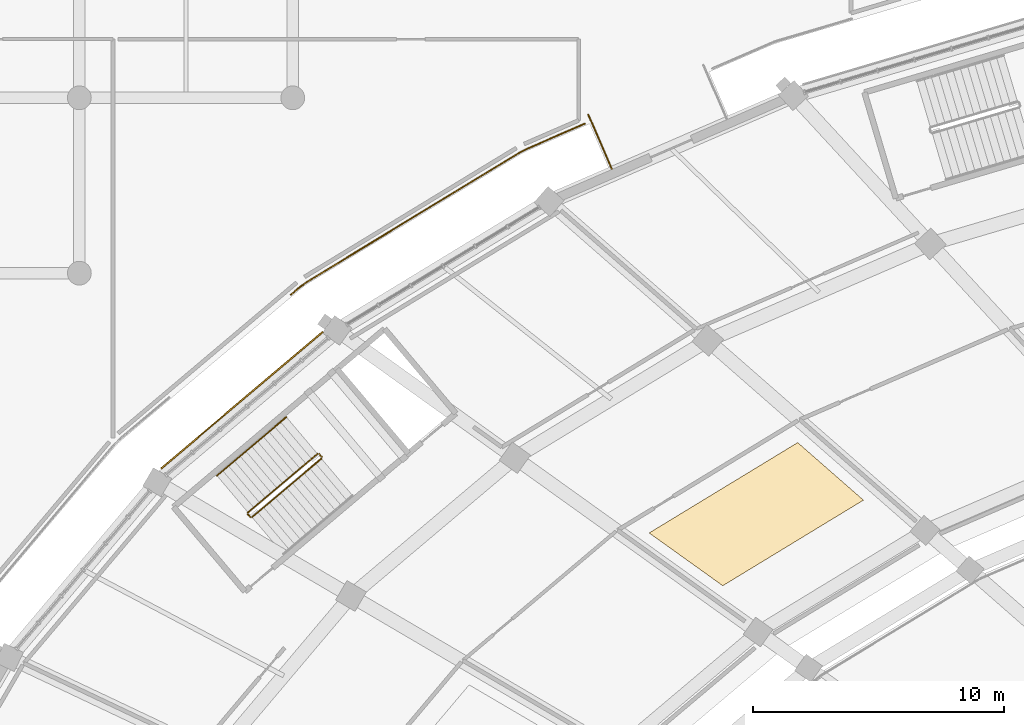
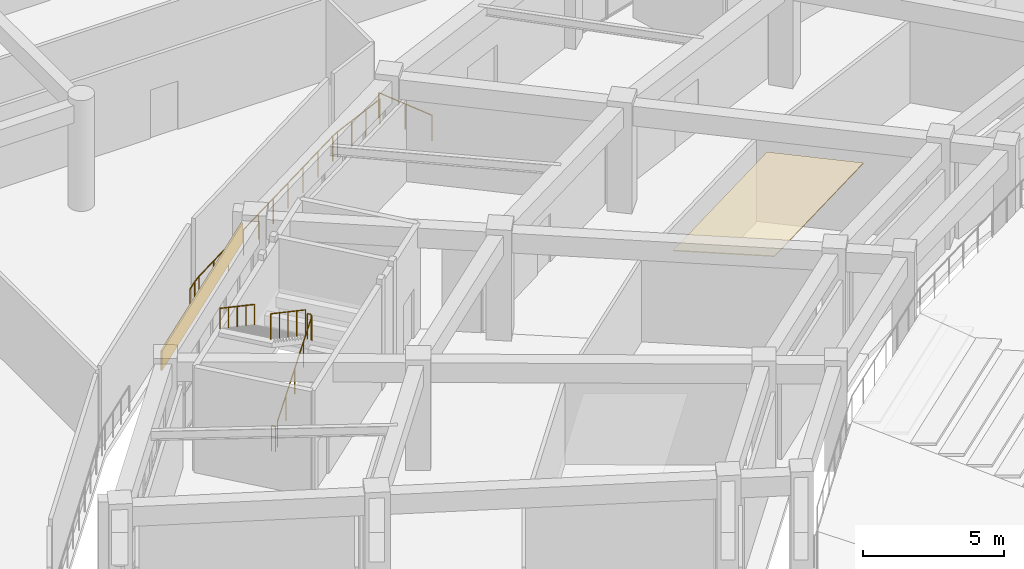
# One storey, part 144 of 152: 7 railings, 2 coverings.
"""IFC4 building model written with IfcOpenShell, lengths in metres."""

from ifc_helpers import new_model, si_unit, direction, frame, origin, origin_2d, place, context, subcontext, project, spatial, polyline, rectangle, circle, outline, extrude, material, layer, layer_set, type_object, element, save


model = new_model("IFC4")

# Units and contexts
model_context = context("Model", 3, precision=1e-05, world=origin(), true_north=direction((0.0, 1.0)))
body_context = subcontext(model_context, "Body", "Model", "MODEL_VIEW")
ifc_project = project(units=[si_unit("LENGTHUNIT", "METRE"), si_unit("AREAUNIT", "SQUARE_METRE"), si_unit("VOLUMEUNIT", "CUBIC_METRE"), si_unit("PLANEANGLEUNIT", "RADIAN"), si_unit("MASSUNIT", "GRAM", prefix="KILO")], contexts=[model_context])

# Site, building, storey
site_placement = place(None, origin())
site = spatial("IfcSite", under=ifc_project, at=site_placement, CompositionType="ELEMENT")
building_placement = place(site_placement, origin())
building = spatial("IfcBuilding", under=site, at=building_placement, Name="Mphavela Belvedere Stadium", CompositionType="ELEMENT")
storey_placement = place(building_placement, frame((0.0, 0.0, 5.39990234375)))
storey = spatial("IfcBuildingStorey", under=building, at=storey_placement, Name="L01", CompositionType="ELEMENT", Elevation=5.39990234375)

# Coverings
ifc_material_1 = material(Name="Perforated acoustic mineral ceiling tile")
ifc_layer_1 = layer(ifc_material_1, 0.0400390625)
ifc_layer_set_1 = layer_set([ifc_layer_1], Name="Perforated acoustic mineral ceiling tile")
covering_type_1 = type_object("IfcCoveringType", Name="COV-CEILING-ACOUSTIC", PredefinedType="CEILING", material=ifc_layer_set_1)
covering_1_placement = place(storey_placement, frame((0.0, 0.0, 3.5)))
element("IfcCovering", 1, at=covering_1_placement, inside=storey, type_object=covering_type_1, Name="Concourse acoustic ceiling L01-18", PredefinedType="CEILING", context=body_context, shape_type="SweptSolid", body=[
    extrude(outline(polyline([(56.8544921875, 136.93896484375), (51.23974609375, 133.523193359375), (48.300537109375, 135.629150390625), (54.229248046875, 139.236083984375), (56.8544921875, 136.93896484375)])), origin(), (0.0, 0.0, 1.0), 0.0400390625),
])
ifc_material_2 = material(Name="Carved classical limestone entablature frieze cladding", Category="masonry")
ifc_layer_2 = layer(ifc_material_2, 0.06005859375)
ifc_layer_set_2 = layer_set([ifc_layer_2], Name="Carved classical limestone entablature frieze cladding")
covering_type_2 = type_object("IfcCoveringType", Name="COV-FRIEZE-CLAD", PredefinedType="CLADDING", material=ifc_layer_set_2)
covering_2_placement = place(storey_placement, frame((32.046630859375, 140.9287109375, 3.594970703125), z_axis=(0.0, 0.0, 1.0), x_axis=(-0.764246456939, -0.644924300253, 0.0)))
element("IfcCovering", 2, at=covering_2_placement, inside=storey, type_object=covering_type_2, Name="Classical entablature frieze cladding L01-19", PredefinedType="CLADDING", context=body_context, shape_type="SweptSolid", body=[
    extrude(rectangle(XDim=8.4521484375, YDim=0.06005859375, at=origin_2d()), origin(), (0.0, 0.0, 1.0), 0.85009765625),
])

# Railings
ifc_material_3 = material(Name="Bronze and laminated glass stadium balustrade", Category="glass")
railing_type_1 = type_object("IfcRailingType", Name="RAL-BALUSTRADE-1120", PredefinedType="BALUSTRADE", material=ifc_material_3)
railing_1_placement = place(storey_placement, frame((46.809814453125, 150.165283203125, 0.0)))
element("IfcRailing", 3, at=railing_1_placement, inside=storey, type_object=railing_type_1, Name="Colonnade link bridge balustrade L01-17B", PredefinedType="BALUSTRADE", context=body_context, shape_type="SweptSolid", body=[
    extrude(circle(Radius=0.02392578125, at=origin_2d()), frame((0.0, 0.0, 1.09619140625), z_axis=(-0.397802772945, 0.91747095531, 0.0), x_axis=(-0.91747095531, -0.397802772945, 0.0)), (0.0, 0.0, 1.0), 2.349853515625),
    extrude(circle(Radius=0.02099609375, at=origin_2d()), origin(), (0.0, 0.0, 1.0), 1.072021484375),
    extrude(circle(Radius=0.02099609375, at=origin_2d()), frame((-0.46728515625, 1.078125, 0.0)), (0.0, 0.0, 1.0), 1.072021484375),
    extrude(circle(Radius=0.02099609375, at=origin_2d()), frame((-0.934814453125, 2.156005859375, 0.0)), (0.0, 0.0, 1.0), 1.072021484375),
])
railing_2_placement = place(storey_placement, frame((45.7255859375, 151.96240234375, 0.0)))
element("IfcRailing", 4, at=railing_2_placement, inside=storey, type_object=railing_type_1, Name="Peristyle wing gallery edge balustrade L01-34", PredefinedType="BALUSTRADE", context=body_context, shape_type="SweptSolid", body=[
    extrude(circle(Radius=0.02392578125, at=origin_2d()), frame((0.0, 0.0, 1.09619140625), z_axis=(-0.917490104343, -0.397758605731, 0.0), x_axis=(0.397758605731, -0.917490104343, 0.0)), (0.0, 0.0, 1.0), 2.5380859375),
    extrude(circle(Radius=0.02392578125, at=origin_2d()), frame((-2.32861328125, -1.009521484375, 1.09619140625), z_axis=(-0.887624752967, -0.460567365236, 0.0), x_axis=(0.460567365236, -0.887624752967, 0.0)), (0.0, 0.0, 1.0), 0.313232421875),
    extrude(circle(Radius=0.02392578125, at=origin_2d()), frame((-2.606689453125, -1.15380859375, 1.09619140625), z_axis=(-0.854333268174, -0.519725568826, 0.0), x_axis=(0.519725568826, -0.854333268174, 0.0)), (0.0, 0.0, 1.0), 9.90185546875),
    extrude(circle(Radius=0.02392578125, at=origin_2d()), frame((-11.066162109375, -6.300048828125, 1.09619140625), z_axis=(-0.81202574752, -0.583621611462, 0.0), x_axis=(0.583621611462, -0.81202574752, 0.0)), (0.0, 0.0, 1.0), 0.348388671875),
    extrude(circle(Radius=0.02392578125, at=origin_2d()), frame((-11.34912109375, -6.50341796875, 1.09619140625), z_axis=(-0.764291483508, -0.64487093921, 0.0), x_axis=(0.64487093921, -0.764291483508, 0.0)), (0.0, 0.0, 1.0), 0.49072265625),
    extrude(circle(Radius=0.02099609375, at=origin_2d()), origin(), (0.0, 0.0, 1.0), 1.072021484375),
    extrude(circle(Radius=0.02099609375, at=origin_2d()), frame((-0.776123046875, -0.33642578125, 0.0)), (0.0, 0.0, 1.0), 1.072021484375),
    extrude(circle(Radius=0.02099609375, at=origin_2d()), frame((-1.552490234375, -0.673095703125, 0.0)), (0.0, 0.0, 1.0), 1.072021484375),
    extrude(circle(Radius=0.02099609375, at=origin_2d()), frame((-2.32861328125, -1.009521484375, 0.0)), (0.0, 0.0, 1.0), 1.072021484375),
    extrude(circle(Radius=0.02099609375, at=origin_2d()), frame((-2.606689453125, -1.15380859375, 0.0)), (0.0, 0.0, 1.0), 1.072021484375),
    extrude(circle(Radius=0.02099609375, at=origin_2d()), frame((-3.546630859375, -1.7255859375, 0.0)), (0.0, 0.0, 1.0), 1.072021484375),
    extrude(circle(Radius=0.02099609375, at=origin_2d()), frame((-4.486572265625, -2.29736328125, 0.0)), (0.0, 0.0, 1.0), 1.072021484375),
    extrude(circle(Radius=0.02099609375, at=origin_2d()), frame((-5.426513671875, -2.869140625, 0.0)), (0.0, 0.0, 1.0), 1.072021484375),
    extrude(circle(Radius=0.02099609375, at=origin_2d()), frame((-6.366455078125, -3.44091796875, 0.0)), (0.0, 0.0, 1.0), 1.072021484375),
    extrude(circle(Radius=0.02099609375, at=origin_2d()), frame((-7.306396484375, -4.012939453125, 0.0)), (0.0, 0.0, 1.0), 1.072021484375),
    extrude(circle(Radius=0.02099609375, at=origin_2d()), frame((-8.246337890625, -4.584716796875, 0.0)), (0.0, 0.0, 1.0), 1.072021484375),
    extrude(circle(Radius=0.02099609375, at=origin_2d()), frame((-9.186279296875, -5.156494140625, 0.0)), (0.0, 0.0, 1.0), 1.072021484375),
    extrude(circle(Radius=0.02099609375, at=origin_2d()), frame((-10.126220703125, -5.728271484375, 0.0)), (0.0, 0.0, 1.0), 1.072021484375),
    extrude(circle(Radius=0.02099609375, at=origin_2d()), frame((-11.066162109375, -6.300048828125, 0.0)), (0.0, 0.0, 1.0), 1.072021484375),
    extrude(circle(Radius=0.02099609375, at=origin_2d()), frame((-11.34912109375, -6.50341796875, 0.0)), (0.0, 0.0, 1.0), 1.072021484375),
    extrude(circle(Radius=0.02099609375, at=origin_2d()), frame((-11.72412109375, -6.81982421875, 0.0)), (0.0, 0.0, 1.0), 1.072021484375),
])
ifc_material_4 = material(Name="Painted galvanised steel stair guardrail", Category="steel")
railing_type_2 = type_object("IfcRailingType", Name="RAL-GUARD-1120", PredefinedType="GUARDRAIL", material=ifc_material_4)
railing_3_placement = place(storey_placement, frame((32.448974609375, 136.259033203125, 0.184814453125)))
element("IfcRailing", 5, at=railing_3_placement, inside=storey, type_object=railing_type_2, Name="L01 ST-C05 stair guard 1", PredefinedType="GUARDRAIL", context=body_context, shape_type="SweptSolid", body=[
    extrude(circle(Radius=0.02392578125, at=origin_2d()), frame((0.0, 0.0, 1.09619140625), z_axis=(0.652055103025, 0.55025771344, 0.521575106211), x_axis=(-0.644929967424, 0.764241674549, 0.0)), (0.0, 0.0, 1.0), 4.247314453125),
    extrude(circle(Radius=0.02099609375, at=origin_2d()), origin(), (0.0, 0.0, 1.0), 1.072021484375),
    extrude(circle(Radius=0.02099609375, at=origin_2d()), frame((0.6923828125, 0.584228515625, 0.5537109375)), (0.0, 0.0, 1.0), 1.072021484375),
    extrude(circle(Radius=0.02099609375, at=origin_2d()), frame((1.384765625, 1.16845703125, 1.107666015625)), (0.0, 0.0, 1.0), 1.072021484375),
    extrude(circle(Radius=0.02099609375, at=origin_2d()), frame((2.0771484375, 1.7529296875, 1.66162109375)), (0.0, 0.0, 1.0), 1.072021484375),
    extrude(circle(Radius=0.02099609375, at=origin_2d()), frame((2.76953125, 2.337158203125, 2.21533203125)), (0.0, 0.0, 1.0), 1.072021484375),
])
railing_4_placement = place(storey_placement, frame((35.224609375, 138.66650390625, 2.400146484375)))
element("IfcRailing", 6, at=railing_4_placement, inside=storey, type_object=railing_type_2, Name="L01 ST-C05 stair guard 2", PredefinedType="GUARDRAIL", context=body_context, shape_type="SweptSolid", body=[
    extrude(circle(Radius=0.02392578125, at=origin_2d()), frame((0.0, 0.0, 1.09619140625), z_axis=(-0.644336145831, 0.764742395304, 0.0), x_axis=(-0.764742395304, -0.644336145831, 0.0)), (0.0, 0.0, 1.0), 0.150146484375),
    extrude(circle(Radius=0.02099609375, at=origin_2d()), origin(), (0.0, 0.0, 1.0), 1.072021484375),
    extrude(circle(Radius=0.02099609375, at=origin_2d()), frame((-0.0966796875, 0.11474609375, 0.0)), (0.0, 0.0, 1.0), 1.072021484375),
])
railing_5_placement = place(storey_placement, frame((35.057373046875, 138.787109375, 2.584716796875)))
element("IfcRailing", 7, at=railing_5_placement, inside=storey, type_object=railing_type_2, Name="L01 ST-C05 stair guard 3", PredefinedType="GUARDRAIL", context=body_context, shape_type="SweptSolid", body=[
    extrude(circle(Radius=0.02392578125, at=origin_2d()), frame((0.0, 0.0, 1.09619140625), z_axis=(-0.652055103025, -0.55025771344, 0.521575106211), x_axis=(0.644929967424, -0.764241674549, 0.0)), (0.0, 0.0, 1.0), 4.247314453125),
    extrude(circle(Radius=0.02099609375, at=origin_2d()), origin(), (0.0, 0.0, 1.0), 1.072021484375),
    extrude(circle(Radius=0.02099609375, at=origin_2d()), frame((-0.6923828125, -0.584228515625, 0.5537109375)), (0.0, 0.0, 1.0), 1.072021484375),
    extrude(circle(Radius=0.02099609375, at=origin_2d()), frame((-1.384765625, -1.16845703125, 1.107666015625)), (0.0, 0.0, 1.0), 1.072021484375),
    extrude(circle(Radius=0.02099609375, at=origin_2d()), frame((-2.0771484375, -1.7529296875, 1.66162109375)), (0.0, 0.0, 1.0), 1.072021484375),
    extrude(circle(Radius=0.02099609375, at=origin_2d()), frame((-2.76953125, -2.337158203125, 2.21533203125)), (0.0, 0.0, 1.0), 1.072021484375),
])
railing_6_placement = place(storey_placement, frame((32.37841796875, 136.264892578125, 0.0)))
element("IfcRailing", 8, at=railing_6_placement, inside=storey, type_object=railing_type_2, Name="L01 ST-C05 stair guard 4", PredefinedType="GUARDRAIL", context=body_context, shape_type="SweptSolid", body=[
    extrude(circle(Radius=0.02392578125, at=origin_2d()), frame((0.0, 0.0, 1.09619140625), z_axis=(-0.645138550365, 0.764065606367, 0.0), x_axis=(-0.764065606367, -0.645138550365, 0.0)), (0.0, 0.0, 1.0), 0.14990234375),
    extrude(circle(Radius=0.02099609375, at=origin_2d()), origin(), (0.0, 0.0, 1.0), 1.072021484375),
    extrude(circle(Radius=0.02099609375, at=origin_2d()), frame((-0.0966796875, 0.114501953125, 0.0)), (0.0, 0.0, 1.0), 1.072021484375),
])
ifc_material_5 = material(Name="Brushed stainless steel tubular handrail", Category="steel")
railing_type_3 = type_object("IfcRailingType", Name="RAL-HANDRAIL-900", PredefinedType="HANDRAIL", material=ifc_material_5)
railing_7_placement = place(storey_placement, frame((33.819091796875, 140.254638671875, 2.584716796875)))
element("IfcRailing", 9, at=railing_7_placement, inside=storey, type_object=railing_type_3, Name="L01 ST-C05 stair handrail 2", PredefinedType="HANDRAIL", context=body_context, shape_type="SweptSolid", body=[
    extrude(circle(Radius=0.02392578125, at=origin_2d()), frame((0.0, 0.0, 0.8759765625), z_axis=(-0.652034479135, -0.550297787662, 0.52155860928), x_axis=(0.644969313156, -0.764208469651, 0.0)), (0.0, 0.0, 1.0), 4.24755859375),
    extrude(circle(Radius=0.02099609375, at=origin_2d()), origin(), (0.0, 0.0, 1.0), 0.851806640625),
    extrude(circle(Radius=0.02099609375, at=origin_2d()), frame((-0.6923828125, -0.58447265625, 0.5537109375)), (0.0, 0.0, 1.0), 0.851806640625),
    extrude(circle(Radius=0.02099609375, at=origin_2d()), frame((-1.384765625, -1.168701171875, 1.107666015625)), (0.0, 0.0, 1.0), 0.851806640625),
    extrude(circle(Radius=0.02099609375, at=origin_2d()), frame((-2.0771484375, -1.7529296875, 1.66162109375)), (0.0, 0.0, 1.0), 0.851806640625),
    extrude(circle(Radius=0.02099609375, at=origin_2d()), frame((-2.76953125, -2.33740234375, 2.21533203125)), (0.0, 0.0, 1.0), 0.851806640625),
])

save(model, "model.ifc")
